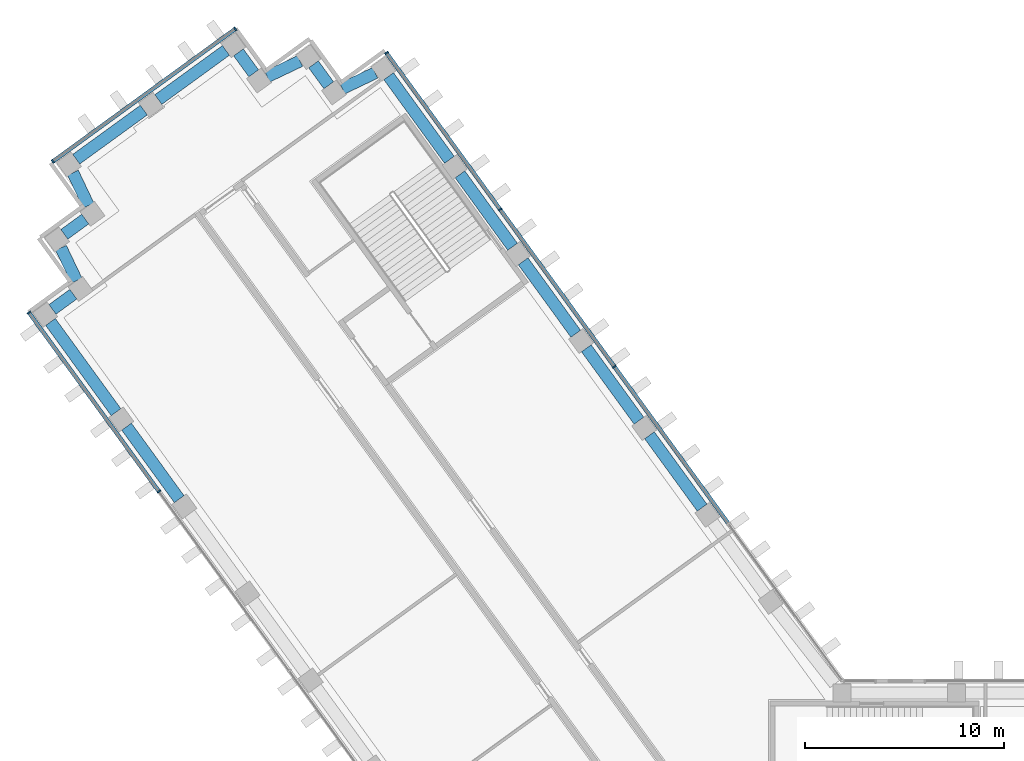
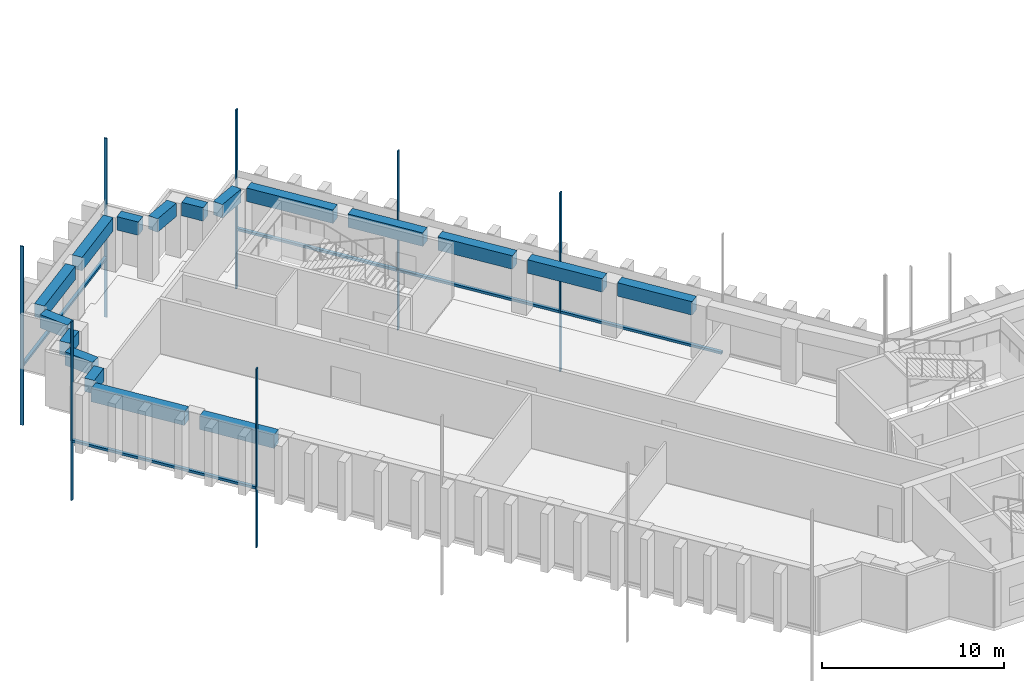
# One storey, part 4 of 18: 17 beams, 12 members, 3 elements without a shape of their own.
"""IFC4 building model written with IfcOpenShell, lengths in metres."""

from ifc_helpers import new_model, si_unit, direction, frame, origin, origin_2d, place, context, subcontext, project, spatial, rectangle, extrude, material, material_profile, profile_set, type_object, element, aggregate, save


model = new_model("IFC4")

# Units and contexts
model_context = context("Model", 3, precision=1e-05, world=origin(), true_north=direction((0.0, 1.0)))
body_context = subcontext(model_context, "Body", "Model", "MODEL_VIEW")
ifc_project = project(units=[si_unit("LENGTHUNIT", "METRE"), si_unit("AREAUNIT", "SQUARE_METRE"), si_unit("VOLUMEUNIT", "CUBIC_METRE"), si_unit("PLANEANGLEUNIT", "RADIAN"), si_unit("MASSUNIT", "GRAM", prefix="KILO")], contexts=[model_context])

# Site, building, storey
site_placement = place(None, origin())
site = spatial("IfcSite", under=ifc_project, at=site_placement, CompositionType="ELEMENT")
building_placement = place(site_placement, origin())
building = spatial("IfcBuilding", under=site, at=building_placement, Name="Quipu Civic Tower", CompositionType="ELEMENT")
storey_placement = place(building_placement, frame((0.0, 0.0, 71.0)))
storey = spatial("IfcBuildingStorey", under=building, at=storey_placement, Name="L16", CompositionType="ELEMENT", Elevation=71.0)

# Curtain wall, members
ifc_material_1 = material(Name="Insulated glass unit", Category="glass")
curtain_wall_type = type_object("IfcCurtainWallType", Name="Office curtain wall CW1", PredefinedType="NOTDEFINED", material=ifc_material_1)
curtain_wall_1_placement = place(storey_placement, origin())
curtain_wall_1 = element("IfcCurtainWall", 1, at=curtain_wall_1_placement, inside=storey, type_object=curtain_wall_type, Name="Office curtain wall CW1 L15 run 1", PredefinedType="NOTDEFINED")
ifc_material_2 = material(Name="Anodised aluminium", Category="aluminium")
ifc_material_profile_1 = material_profile(ifc_material_2, rectangle(XDim=0.199951171875, YDim=0.080078125, at=origin_2d()), Name="RECT 200x80")
ifc_profile_set_1 = profile_set([ifc_material_profile_1], Name="Anodised aluminium")
member_type_1 = type_object("IfcMemberType", Name="Mullion CW1", PredefinedType="MULLION", material=ifc_profile_set_1)
member_1_placement = place(storey_placement, frame((-25.819091796875, 26.893798828125, -3.919921875), z_axis=(0.0, 0.0, 1.0), x_axis=(-0.809016532822, -0.587785887566, 0.0)))
member_1 = element("IfcMember", 2, at=member_1_placement, type_object=member_type_1, Name="CW1 mullion 3", PredefinedType="MULLION", context=body_context, shape_type="SweptSolid", body=[
    extrude(rectangle(XDim=0.199951171875, YDim=0.080078125, at=origin_2d()), origin(), (0.0, 0.0, 1.0), 12.0),
])
member_2_placement = place(storey_placement, frame((-31.556396484375, 34.79052734375, -3.919921875), z_axis=(0.0, 0.0, 1.0), x_axis=(-0.809016532822, -0.587785887566, 0.0)))
member_2 = element("IfcMember", 3, at=member_2_placement, type_object=member_type_1, Name="CW1 mullion 4", PredefinedType="MULLION", context=body_context, shape_type="SweptSolid", body=[
    extrude(rectangle(XDim=0.199951171875, YDim=0.080078125, at=origin_2d()), origin(), (0.0, 0.0, 1.0), 12.0),
])
member_3_placement = place(storey_placement, frame((-37.2705078125, 42.655029296875, -3.919921875), z_axis=(0.0, 0.0, 1.0), x_axis=(-0.809016532822, -0.587785887566, 0.0)))
member_3 = element("IfcMember", 4, at=member_3_placement, type_object=member_type_1, Name="CW1 mullion 5", PredefinedType="MULLION", context=body_context, shape_type="SweptSolid", body=[
    extrude(rectangle(XDim=0.199951171875, YDim=0.080078125, at=origin_2d()), origin(), (0.0, 0.0, 1.0), 12.0),
])

curtain_wall_2_placement = place(storey_placement, origin())
curtain_wall_2 = element("IfcCurtainWall", 5, at=curtain_wall_2_placement, inside=storey, type_object=curtain_wall_type, Name="Office curtain wall CW1 L15 run 6", PredefinedType="NOTDEFINED")
member_4_placement = place(storey_placement, frame((-44.869140625, 43.858642578125, -3.919921875), z_axis=(0.0, 0.0, 1.0), x_axis=(0.587782012621, -0.809019348124, 0.0)))
member_4 = element("IfcMember", 6, at=member_4_placement, type_object=member_type_1, Name="CW1 mullion 1", PredefinedType="MULLION", context=body_context, shape_type="SweptSolid", body=[
    extrude(rectangle(XDim=0.199951171875, YDim=0.080078125, at=origin_2d()), origin(), (0.0, 0.0, 1.0), 12.0),
])
member_5_placement = place(storey_placement, frame((-54.027099609375, 37.204833984375, -3.919921875), z_axis=(0.0, 0.0, 1.0), x_axis=(0.587782012621, -0.809019348124, 0.0)))
member_5 = element("IfcMember", 7, at=member_5_placement, type_object=member_type_1, Name="CW1 mullion 2", PredefinedType="MULLION", context=body_context, shape_type="SweptSolid", body=[
    extrude(rectangle(XDim=0.199951171875, YDim=0.080078125, at=origin_2d()), origin(), (0.0, 0.0, 1.0), 12.0),
])

curtain_wall_3_placement = place(storey_placement, origin())
curtain_wall_3 = element("IfcCurtainWall", 8, at=curtain_wall_3_placement, inside=storey, type_object=curtain_wall_type, Name="Office curtain wall CW1 L15 run 8", PredefinedType="NOTDEFINED")
member_6_placement = place(storey_placement, frame((-55.23046875, 29.606201171875, -3.919921875), z_axis=(0.0, 0.0, 1.0), x_axis=(0.809016770908, 0.587785559869, 0.0)))
member_6 = element("IfcMember", 9, at=member_6_placement, type_object=member_type_1, Name="CW1 mullion 1", PredefinedType="MULLION", context=body_context, shape_type="SweptSolid", body=[
    extrude(rectangle(XDim=0.199951171875, YDim=0.080078125, at=origin_2d()), origin(), (0.0, 0.0, 1.0), 12.0),
])
member_7_placement = place(storey_placement, frame((-48.70458984375, 20.6240234375, -3.919921875), z_axis=(0.0, 0.0, 1.0), x_axis=(0.809016770908, 0.587785559869, 0.0)))
member_7 = element("IfcMember", 10, at=member_7_placement, type_object=member_type_1, Name="CW1 mullion 2", PredefinedType="MULLION", context=body_context, shape_type="SweptSolid", body=[
    extrude(rectangle(XDim=0.199951171875, YDim=0.080078125, at=origin_2d()), origin(), (0.0, 0.0, 1.0), 12.0),
])

# Beams
ifc_material_3 = material(Name="Concrete C50/60", Category="concrete")
ifc_material_profile_2 = material_profile(ifc_material_3, rectangle(XDim=0.60009765625, YDim=0.89990234375, at=origin_2d()), Name="RC600x900")
ifc_profile_set_2 = profile_set([ifc_material_profile_2], Name="Concrete C50/60")
beam_type = type_object("IfcBeamType", Name="Spandrel beam RC 600x900 C50/60", PredefinedType="SPANDREL", material=ifc_profile_set_2)
for number, where, z_axis, x_axis, name in (
    (11, (-21.411865234375, 19.807861328125, 3.199951171875), (-0.587778073121, 0.809022210299, 0.0), (-0.809022210299, -0.587778073121, 0.0), "Spandrel beam L16 W-IN-02 to W-IN-03"),
    (12, (-24.585693359375, 24.1767578125, 3.199951171875), (-0.587778073121, 0.809022210299, 0.0), (-0.809022210299, -0.587778073121, 0.0), "Spandrel beam L16 W-IN-03 to W-IN-04"),
    (13, (-27.759765625, 28.545654296875, 3.199951171875), (-0.587742561851, 0.809048009076, 0.0), (-0.809048009076, -0.587742561851, 0.0), "Spandrel beam L16 W-IN-04 to W-IN-05"),
    (14, (-30.93359375, 32.914306640625, 3.199951171875), (-0.587716763865, 0.809066749701, 0.0), (-0.809066749701, -0.587716763865, 0.0), "Spandrel beam L16 W-IN-05 to W-IN-06"),
):
    element("IfcBeam", number, at=place(storey_placement, frame(where, z_axis=z_axis, x_axis=x_axis)), inside=storey, type_object=beam_type, Name=name, PredefinedType="SPANDREL", context=body_context, shape_type="SweptSolid", body=[
        extrude(rectangle(XDim=0.60009765625, YDim=0.89990234375, at=origin_2d()), origin(), (0.0, 0.0, 1.0), 4.5),
    ])
beam_1_placement = place(storey_placement, frame((-34.107421875, 37.283203125, 3.199951171875), z_axis=(-0.587732861365, 0.80905505602, 0.0), x_axis=(-0.80905505602, -0.587732861365, 0.0)))
element("IfcBeam", 15, at=beam_1_placement, inside=storey, type_object=beam_type, Name="Spandrel beam L16 W-IN-06 to T-Wi.0-W50", PredefinedType="SPANDREL", context=body_context, shape_type="SweptSolid", body=[
    extrude(rectangle(XDim=0.60009765625, YDim=0.89990234375, at=origin_2d()), origin(), (0.0, 0.0, 1.0), 5.194580078125),
])
beam_2_placement = place(storey_placement, frame((-37.837890625, 41.65283203125, 3.199951171875), z_axis=(-0.90245397739, -0.430786279601, 0.0), x_axis=(0.430786279601, -0.90245397739, 0.0)))
element("IfcBeam", 16, at=beam_2_placement, inside=storey, type_object=beam_type, Name="Spandrel beam L16 T-Wi.0-W50 to T-Wi.1-W50", PredefinedType="SPANDREL", context=body_context, shape_type="SweptSolid", body=[
    extrude(rectangle(XDim=0.60009765625, YDim=0.89990234375, at=origin_2d()), origin(), (0.0, 0.0, 1.0), 1.83349609375),
])
beam_3_placement = place(storey_placement, frame((-40.170166015625, 41.02978515625, 3.199951171875), z_axis=(-0.588461937499, 0.808524921146, 0.0), x_axis=(-0.808524921146, -0.588461937499, 0.0)))
element("IfcBeam", 17, at=beam_3_placement, inside=storey, type_object=beam_type, Name="Spandrel beam L16 T-Wi.1-W50 to T-Wi.2-W50", PredefinedType="SPANDREL", context=body_context, shape_type="SweptSolid", body=[
    extrude(rectangle(XDim=0.60009765625, YDim=0.89990234375, at=origin_2d()), origin(), (0.0, 0.0, 1.0), 1.30029296875),
])
beam_4_placement = place(storey_placement, frame((-41.613037109375, 42.248046875, 3.199951171875), z_axis=(-0.902613270121, -0.430452418511, 0.0), x_axis=(0.430452418511, -0.902613270121, 0.0)))
element("IfcBeam", 18, at=beam_4_placement, inside=storey, type_object=beam_type, Name="Spandrel beam L16 T-Wi.2-W50 to T-Wi.3-W50", PredefinedType="SPANDREL", context=body_context, shape_type="SweptSolid", body=[
    extrude(rectangle(XDim=0.60009765625, YDim=0.89990234375, at=origin_2d()), origin(), (0.0, 0.0, 1.0), 1.826416015625),
])
beam_5_placement = place(storey_placement, frame((-43.939453125, 41.628662109375, 3.199951171875), z_axis=(-0.588383572423, 0.808581951136, 0.0), x_axis=(-0.808581951136, -0.588383572423, 0.0)))
element("IfcBeam", 19, at=beam_5_placement, inside=storey, type_object=beam_type, Name="Spandrel beam L16 T-Wi.3-W50 to T-Wi.4-W50", PredefinedType="SPANDREL", context=body_context, shape_type="SweptSolid", body=[
    extrude(rectangle(XDim=0.60009765625, YDim=0.89990234375, at=origin_2d()), origin(), (0.0, 0.0, 1.0), 1.3017578125),
])
beam_6_placement = place(storey_placement, frame((-45.333984375, 42.780517578125, 3.199951171875), z_axis=(-0.808969789945, -0.58785021813, 0.0), x_axis=(0.58785021813, -0.808969789945, 0.0)))
element("IfcBeam", 20, at=beam_6_placement, inside=storey, type_object=beam_type, Name="Spandrel beam L16 T-Wi.4-W50 to TIP-W-01-W50", PredefinedType="SPANDREL", context=body_context, shape_type="SweptSolid", body=[
    extrude(rectangle(XDim=0.60009765625, YDim=0.89990234375, at=origin_2d()), origin(), (0.0, 0.0, 1.0), 4.199951171875),
])
beam_7_placement = place(storey_placement, frame((-49.459716796875, 39.782470703125, 3.199951171875), z_axis=(-0.808959834407, -0.587863918196, 0.0), x_axis=(0.587863918196, -0.808959834407, 0.0)))
element("IfcBeam", 21, at=beam_7_placement, inside=storey, type_object=beam_type, Name="Spandrel beam L16 TIP-W-01-W50 to T-Wo.0-W50", PredefinedType="SPANDREL", context=body_context, shape_type="SweptSolid", body=[
    extrude(rectangle(XDim=0.60009765625, YDim=0.89990234375, at=origin_2d()), origin(), (0.0, 0.0, 1.0), 4.1982421875),
])
beam_8_placement = place(storey_placement, frame((-53.023193359375, 36.63671875, 3.199951171875), z_axis=(0.430166558323, -0.902749540072, 0.0), x_axis=(0.902749540072, 0.430166558323, 0.0)))
element("IfcBeam", 22, at=beam_8_placement, inside=storey, type_object=beam_type, Name="Spandrel beam L16 T-Wo.0-W50 to T-Wo.1-W50", PredefinedType="SPANDREL", context=body_context, shape_type="SweptSolid", body=[
    extrude(rectangle(XDim=0.60009765625, YDim=0.89990234375, at=origin_2d()), origin(), (0.0, 0.0, 1.0), 1.830322265625),
])
beam_9_placement = place(storey_placement, frame((-52.40283203125, 34.306396484375, 3.199951171875), z_axis=(-0.808509099783, -0.588483674853, 0.0), x_axis=(0.588483674853, -0.808509099783, 0.0)))
element("IfcBeam", 23, at=beam_9_placement, inside=storey, type_object=beam_type, Name="Spandrel beam L16 T-Wo.1-W50 to T-Wo.2-W50", PredefinedType="SPANDREL", context=body_context, shape_type="SweptSolid", body=[
    extrude(rectangle(XDim=0.60009765625, YDim=0.89990234375, at=origin_2d()), origin(), (0.0, 0.0, 1.0), 1.302734375),
])
beam_10_placement = place(storey_placement, frame((-53.62255859375, 32.8623046875, 3.199951171875), z_axis=(0.431446050156, -0.902138739776, 0.0), x_axis=(0.902138739776, 0.431446050156, 0.0)))
element("IfcBeam", 24, at=beam_10_placement, inside=storey, type_object=beam_type, Name="Spandrel beam L16 T-Wo.2-W50 to T-Wo.3-W50", PredefinedType="SPANDREL", context=body_context, shape_type="SweptSolid", body=[
    extrude(rectangle(XDim=0.60009765625, YDim=0.89990234375, at=origin_2d()), origin(), (0.0, 0.0, 1.0), 1.828857421875),
])
beam_11_placement = place(storey_placement, frame((-53.0, 30.53466796875, 3.199951171875), z_axis=(-0.808549242423, -0.588428519514, 0.0), x_axis=(0.588428519514, -0.808549242423, 0.0)))
element("IfcBeam", 25, at=beam_11_placement, inside=storey, type_object=beam_type, Name="Spandrel beam L16 T-Wo.3-W50 to T-Wo.4-W50", PredefinedType="SPANDREL", context=body_context, shape_type="SweptSolid", body=[
    extrude(rectangle(XDim=0.60009765625, YDim=0.89990234375, at=origin_2d()), origin(), (0.0, 0.0, 1.0), 1.2998046875),
])
beam_12_placement = place(storey_placement, frame((-54.150390625, 29.140869140625, 3.199951171875), z_axis=(0.587772657145, -0.809026145135, 0.0), x_axis=(0.809026145135, 0.587772657145, 0.0)))
element("IfcBeam", 26, at=beam_12_placement, inside=storey, type_object=beam_type, Name="Spandrel beam L16 T-Wo.4-W50 to W-OUT-07", PredefinedType="SPANDREL", context=body_context, shape_type="SweptSolid", body=[
    extrude(rectangle(XDim=0.60009765625, YDim=0.89990234375, at=origin_2d()), origin(), (0.0, 0.0, 1.0), 5.603271484375),
])
beam_13_placement = place(storey_placement, frame((-50.327880859375, 23.87939453125, 3.199951171875), z_axis=(0.587778073121, -0.809022210299, 0.0), x_axis=(0.809022210299, 0.587778073121, 0.0)))
element("IfcBeam", 27, at=beam_13_placement, inside=storey, type_object=beam_type, Name="Spandrel beam L16 W-OUT-07 to W-OUT-06", PredefinedType="SPANDREL", context=body_context, shape_type="SweptSolid", body=[
    extrude(rectangle(XDim=0.60009765625, YDim=0.89990234375, at=origin_2d()), origin(), (0.0, 0.0, 1.0), 4.5),
])

# Member
ifc_material_4 = material(Name="Anodised aluminium", Category="aluminium")
ifc_material_profile_3 = material_profile(ifc_material_4, rectangle(XDim=0.199951171875, YDim=0.159912109375, at=origin_2d()), Name="RECT 200x160")
ifc_profile_set_3 = profile_set([ifc_material_profile_3], Name="Anodised aluminium")
member_type_2 = type_object("IfcMemberType", Name="Transom CW1", PredefinedType="USERDEFINED", material=ifc_profile_set_3)
member_8_placement = place(storey_placement, frame((-20.105224609375, 19.029296875, 0.080078125), z_axis=(-0.587793764301, 0.80901080997, 0.0), x_axis=(-0.80901080997, -0.587793764301, 0.0)))
member_8 = element("IfcMember", 28, at=member_8_placement, type_object=member_type_2, Name="CW1 transom 2.2", ObjectType="TRANSOM", PredefinedType="USERDEFINED", context=body_context, shape_type="SweptSolid", body=[
    extrude(rectangle(XDim=0.199951171875, YDim=0.159912109375, at=origin_2d()), origin(), (0.0, 0.0, 1.0), 9.680908203125),
])

member_9_placement = place(storey_placement, frame((-25.842529296875, 26.926025390625, 0.080078125), z_axis=(-0.58778177227, 0.809019522748, 0.0), x_axis=(-0.809019522748, -0.58778177227, 0.0)))
member_9 = element("IfcMember", 29, at=member_9_placement, type_object=member_type_2, Name="CW1 transom 3.2", ObjectType="TRANSOM", PredefinedType="USERDEFINED", context=body_context, shape_type="SweptSolid", body=[
    extrude(rectangle(XDim=0.199951171875, YDim=0.159912109375, at=origin_2d()), origin(), (0.0, 0.0, 1.0), 9.68115234375),
])

member_10_placement = place(storey_placement, frame((-31.580078125, 34.822998046875, 0.080078125), z_axis=(-0.587775627857, 0.809023986849, 0.0), x_axis=(-0.809023986849, -0.587775627857, 0.0)))
member_10 = element("IfcMember", 30, at=member_10_placement, type_object=member_type_2, Name="CW1 transom 4.2", ObjectType="TRANSOM", PredefinedType="USERDEFINED", context=body_context, shape_type="SweptSolid", body=[
    extrude(rectangle(XDim=0.199951171875, YDim=0.159912109375, at=origin_2d()), origin(), (0.0, 0.0, 1.0), 9.64111328125),
])

aggregate(curtain_wall_1, [member_1, member_2, member_3, member_8, member_9, member_10])

member_11_placement = place(storey_placement, frame((-44.9013671875, 43.8349609375, 0.080078125), z_axis=(-0.809032792449, -0.587763507495, 0.0), x_axis=(0.587763507495, -0.809032792449, 0.0)))
member_11 = element("IfcMember", 31, at=member_11_placement, type_object=member_type_2, Name="CW1 transom 1.2", ObjectType="TRANSOM", PredefinedType="USERDEFINED", context=body_context, shape_type="SweptSolid", body=[
    extrude(rectangle(XDim=0.199951171875, YDim=0.159912109375, at=origin_2d()), origin(), (0.0, 0.0, 1.0), 11.239990234375),
])

aggregate(curtain_wall_2, [member_4, member_5, member_11])

member_12_placement = place(storey_placement, frame((-55.20703125, 29.573974609375, 0.080078125), z_axis=(0.587779179422, -0.809021406539, 0.0), x_axis=(0.809021406539, 0.587779179422, 0.0)))
member_12 = element("IfcMember", 32, at=member_12_placement, type_object=member_type_2, Name="CW1 transom 1.2", ObjectType="TRANSOM", PredefinedType="USERDEFINED", context=body_context, shape_type="SweptSolid", body=[
    extrude(rectangle(XDim=0.199951171875, YDim=0.159912109375, at=origin_2d()), origin(), (0.0, 0.0, 1.0), 11.02294921875),
])

aggregate(curtain_wall_3, [member_6, member_7, member_12])

save(model, "model.ifc")
